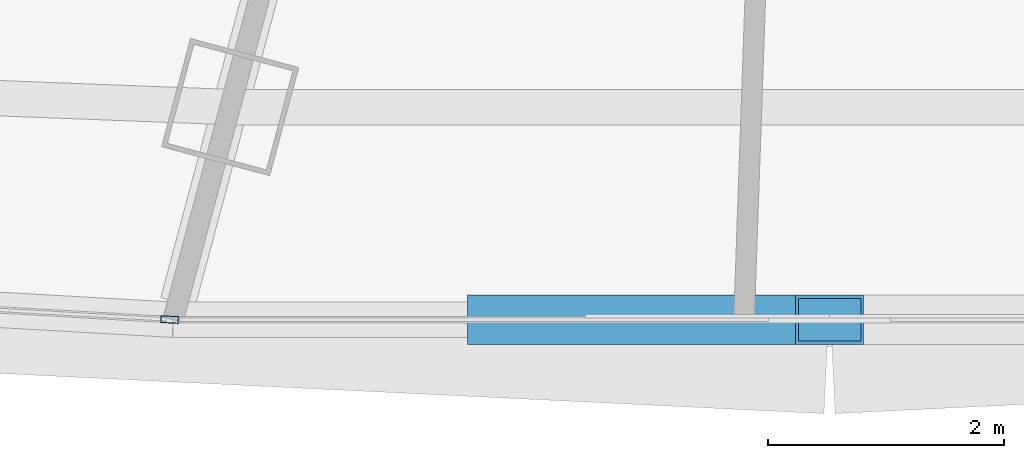
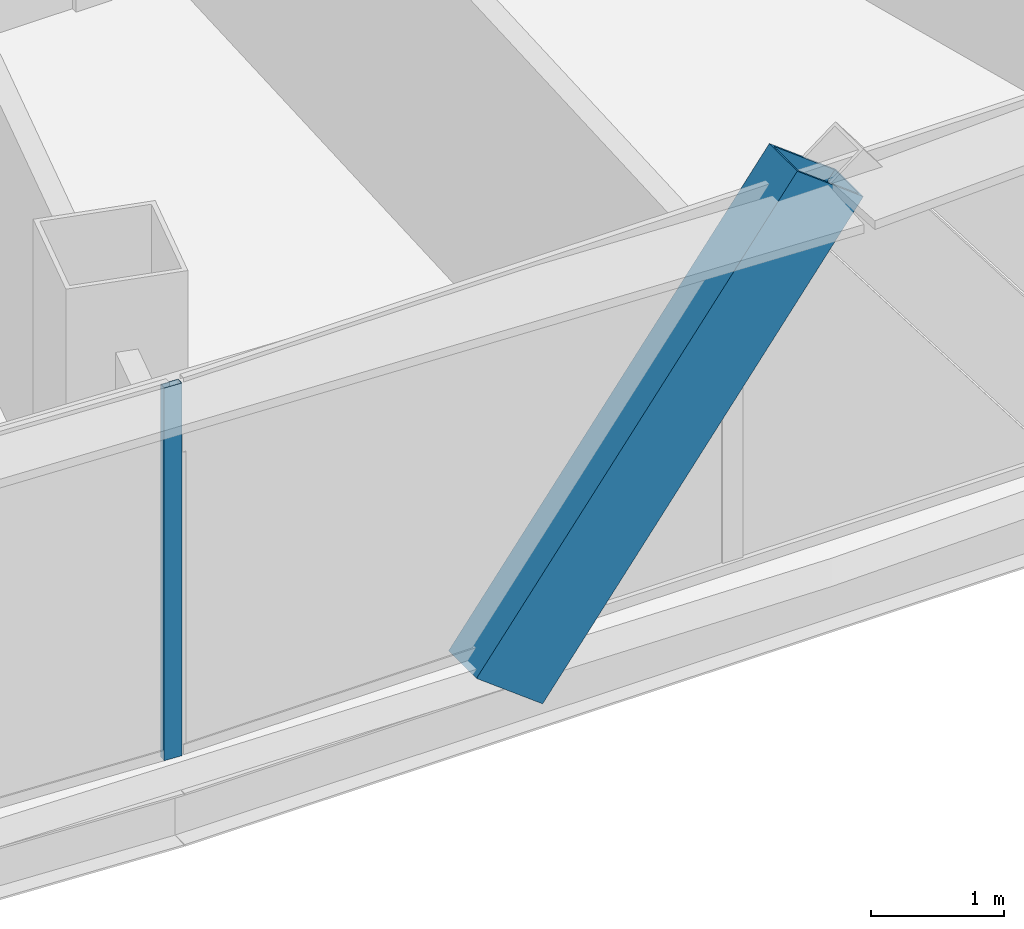
# One storey, part 10 of 42: 2 members, 1 element without a shape of its own.
"""IFC4 building model written with IfcOpenShell, lengths in metres."""

import ifcopenshell
import ifcopenshell.guid

model = None  # the IFC model being written
_history = None  # IfcOwnerHistory: only IFC2X3 demands one
_inside = {}  # id of a spatial element -> (the spatial element, [elements in it])
_under = {}  # id of a project, library or spatial element -> (it, [spatial elements below it])
_declared = {}  # id of a project -> (the project, [libraries it declares])
_typed = {}  # id of a type object -> (the type object, [elements of that type])
_made_of = {}  # id of a material, layer set ... -> (it, [elements and type objects made of it])


def new_model(schema):
    """Start an empty IFC model of exactly this schema.

    Asked for "IFC4X3", IfcOpenShell would pick the latest addendum, in which some entities
    have other attributes; the version numbers below select the first issue.
    IFC2X3 requires an IfcOwnerHistory on every rooted entity: one is made here for all.
    """
    global model, _history
    if schema == "IFC4X3":
        model = ifcopenshell.file(schema_version=(4, 3, 0, 0))
    else:
        model = ifcopenshell.file(schema=schema)
    _inside.clear()
    _under.clear()
    _declared.clear()
    _typed.clear()
    _made_of.clear()
    _history = None
    if model.schema == "IFC2X3":
        org = make("IfcOrganization", Name="unknown")
        user = make(
            "IfcPersonAndOrganization",
            ThePerson=make("IfcPerson", FamilyName="unknown"),
            TheOrganization=org,
        )
        app = make(
            "IfcApplication",
            ApplicationDeveloper=org,
            Version="unknown",
            ApplicationFullName="unknown",
            ApplicationIdentifier="unknown",
        )
        _history = make(
            "IfcOwnerHistory",
            OwningUser=user,
            OwningApplication=app,
            ChangeAction="ADDED",
            CreationDate=0,
        )
    return model


def make(cls, **values):
    """One entity of the class cls with the attributes given. An attribute that is None is left unset."""
    return model.create_entity(
        cls, **{name: value for name, value in values.items() if value is not None}
    )


def rooted(cls, **values):
    """An entity with a GlobalId (a new one), such as an element, a storey or a relation."""
    return make(cls, GlobalId=ifcopenshell.guid.new(), OwnerHistory=_history, **values)


def si_unit(unit_type, name, prefix=None):
    """IfcSIUnit, for example si_unit("LENGTHUNIT", "METRE", prefix="MILLI")."""
    return make("IfcSIUnit", UnitType=unit_type, Prefix=prefix, Name=name)


def assignment(units):
    """IfcUnitAssignment: the units of a project."""
    return None if units is None else make("IfcUnitAssignment", Units=units)


def point(xyz):
    """IfcCartesianPoint."""
    return None if xyz is None else make("IfcCartesianPoint", Coordinates=xyz)


def direction(xyz):
    """IfcDirection."""
    return None if xyz is None else make("IfcDirection", DirectionRatios=xyz)


def frame(location, z_axis=None, x_axis=None):
    """IfcAxis2Placement3D, a coordinate frame: its origin and axes. An axis left out is left unset."""
    return make(
        "IfcAxis2Placement3D",
        Location=point(location),
        Axis=direction(z_axis),
        RefDirection=direction(x_axis),
    )


def frame_2d(location, x_axis=None):
    """IfcAxis2Placement2D, a coordinate frame in the plane: its origin and x axis."""
    return make(
        "IfcAxis2Placement2D", Location=point(location), RefDirection=direction(x_axis)
    )


def origin():
    """The frame at (0, 0, 0) with its axes left unset."""
    return frame((0.0, 0.0, 0.0))


def origin_2d():
    """The frame at (0, 0) in the plane with its x axis left unset."""
    return frame_2d((0.0, 0.0))


def place(relative_to, where):
    """IfcLocalPlacement: puts the frame where relative to a parent placement (None: the world)."""
    return make(
        "IfcLocalPlacement", PlacementRelTo=relative_to, RelativePlacement=where
    )


def context(
    kind, dimensions, precision=None, world=None, true_north=None, identifier=None
):
    """IfcGeometricRepresentationContext, for example the 3D "Model" context."""
    return make(
        "IfcGeometricRepresentationContext",
        ContextIdentifier=identifier,
        ContextType=kind,
        CoordinateSpaceDimension=dimensions,
        Precision=precision,
        WorldCoordinateSystem=world,
        TrueNorth=true_north,
    )


def subcontext(parent, identifier, kind, view, scale=None):
    """IfcGeometricRepresentationSubContext, for example "Body" below "Model"."""
    return make(
        "IfcGeometricRepresentationSubContext",
        ContextIdentifier=identifier,
        ContextType=kind,
        ParentContext=parent,
        TargetScale=scale,
        TargetView=view,
    )


def project(units=None, contexts=None):
    """IfcProject with its units and contexts."""
    return rooted(
        "IfcProject",
        Name="project",
        RepresentationContexts=contexts,
        UnitsInContext=assignment(units),
    )


def spatial(cls, under=None, at=None, **own):
    """A site, building, storey or space (cls), placed at a placement, below another one or the project."""
    s = rooted(cls, ObjectPlacement=at, **own)
    if under is not None:
        _under.setdefault(under.id(), (under, []))[1].append(s)
    return s


def profile(cls, at=None, kind="AREA", **sizes):
    """A parametric profile (cls). Its sizes go by their IFC names, for example OverallWidth=200.0."""
    return make(cls, ProfileType=kind, Position=at, **sizes)


def hollow_rectangle(**sizes):
    """IfcRectangleHollowProfileDef."""
    return profile("IfcRectangleHollowProfileDef", **sizes)


def extrude(swept, where, along, depth):
    """IfcExtrudedAreaSolid: the profile swept, set in the frame where, extruded along a direction by depth."""
    return make(
        "IfcExtrudedAreaSolid",
        SweptArea=swept,
        Position=where,
        ExtrudedDirection=direction(along),
        Depth=depth,
    )


def shape(context_of_items, identifier, shape_type, items):
    """IfcShapeRepresentation: the items that make up one representation, for example the "Body"."""
    return make(
        "IfcShapeRepresentation",
        ContextOfItems=context_of_items,
        RepresentationIdentifier=identifier,
        RepresentationType=shape_type,
        Items=items,
    )


def source(mapping_origin, context_of_items, identifier, shape_type, items):
    """IfcRepresentationMap: a shape defined once, which mapped items show again and again."""
    return make(
        "IfcRepresentationMap",
        MappingOrigin=mapping_origin,
        MappedRepresentation=shape(context_of_items, identifier, shape_type, items),
    )


def transform(
    local_origin,
    x_axis=None,
    y_axis=None,
    z_axis=None,
    scale=None,
    scale2=None,
    scale3=None,
    uniform=True,
):
    """IfcCartesianTransformationOperator3D, or its non-uniform kind. x_axis, y_axis, z_axis: its Axis1, 2, 3."""
    if uniform:
        return make(
            "IfcCartesianTransformationOperator3D",
            Axis1=direction(x_axis),
            Axis2=direction(y_axis),
            LocalOrigin=point(local_origin),
            Scale=scale,
            Axis3=direction(z_axis),
        )
    return make(
        "IfcCartesianTransformationOperator3DnonUniform",
        Axis1=direction(x_axis),
        Axis2=direction(y_axis),
        LocalOrigin=point(local_origin),
        Scale=scale,
        Axis3=direction(z_axis),
        Scale2=scale2,
        Scale3=scale3,
    )


def mapped(mapping_source, mapping_target):
    """IfcMappedItem: shows the shape of a source again, moved by a transform."""
    return make(
        "IfcMappedItem", MappingSource=mapping_source, MappingTarget=mapping_target
    )


def material(Name=None, Category=None):
    """IfcMaterial."""
    return make("IfcMaterial", Name=Name, Category=Category)


def layer(
    of_material, thickness, ventilated=None, Name=None, Category=None, Priority=None
):
    """IfcMaterialLayer: one layer of a wall or slab, of a material (None: an air gap)."""
    return make(
        "IfcMaterialLayer",
        Material=of_material,
        LayerThickness=thickness,
        IsVentilated=ventilated,
        Name=Name,
        Category=Category,
        Priority=Priority,
    )


def layer_set(layers, Name=None):
    """IfcMaterialLayerSet."""
    return make("IfcMaterialLayerSet", MaterialLayers=layers, LayerSetName=Name)


def material_profile(
    of_material, cross_section, Name=None, Category=None, Priority=None
):
    """IfcMaterialProfile: a cross section and its material."""
    return make(
        "IfcMaterialProfile",
        Name=Name,
        Material=of_material,
        Profile=cross_section,
        Priority=Priority,
        Category=Category,
    )


def profile_set(profiles, Name=None, composite=None):
    """IfcMaterialProfileSet."""
    return make(
        "IfcMaterialProfileSet",
        Name=Name,
        MaterialProfiles=profiles,
        CompositeProfile=composite,
    )


def made_of(thing, what):
    """Note that an element or type object is made of a material, layer set ...; save() writes the relation."""
    if what is not None:
        _made_of.setdefault(what.id(), (what, []))[1].append(thing)
    return thing


def type_object(cls, material=None, **own):
    """A type object (cls), such as IfcWallType, which elements share."""
    return made_of(rooted(cls, **own), material)


def element(
    cls,
    number,
    at=None,
    inside=None,
    cuts=None,
    type_object=None,
    material=None,
    context=None,
    identifier="Body",
    shape_type=None,
    held_by="IfcProductDefinitionShape",
    body=None,
    shapes=None,
    **own,
):
    """One element of the class cls, such as IfcWall. Its Tag is "e" and its number.

    at: its placement. inside: the storey or other place that contains it. cuts: it is an
    opening in that element (IfcRelVoidsElement). A single representation is given by context,
    identifier, shape_type and body (its items); several are given by shapes. held_by: the class
    of the entity that holds the representations. save() writes the other relations.
    """
    e = rooted(cls, Tag="e%d" % number, ObjectPlacement=at, **own)
    if body is not None:
        shapes = [shape(context, identifier, shape_type, body)]
    if shapes is not None:
        e.Representation = make(held_by, Representations=shapes)
    if inside is not None:
        _inside.setdefault(inside.id(), (inside, []))[1].append(e)
    if cuts is not None:
        rooted(
            "IfcRelVoidsElement", RelatingBuildingElement=cuts, RelatedOpeningElement=e
        )
    if type_object is not None:
        _typed.setdefault(type_object.id(), (type_object, []))[1].append(e)
    return made_of(e, material)


def aggregate(whole, parts):
    """IfcRelAggregates: a whole, such as a stair, and the parts it consists of."""
    return rooted("IfcRelAggregates", RelatingObject=whole, RelatedObjects=parts)


def save(model, path):
    """Write the relations noted so far, then the file.

    IfcRelAggregates (storeys below a building ...), IfcRelContainedInSpatialStructure (elements
    in a storey), IfcRelDefinesByType, IfcRelAssociatesMaterial and IfcRelDeclares: one each for
    every whole, place, type object, material and project.
    """
    for whole, parts in _under.values():
        aggregate(whole, parts)
    for where, things in _inside.values():
        rooted(
            "IfcRelContainedInSpatialStructure",
            RelatedElements=things,
            RelatingStructure=where,
        )
    for kind, things in _typed.values():
        rooted("IfcRelDefinesByType", RelatedObjects=things, RelatingType=kind)
    for what, things in _made_of.values():
        rooted("IfcRelAssociatesMaterial", RelatedObjects=things, RelatingMaterial=what)
    for by, libraries in _declared.values():
        rooted("IfcRelDeclares", RelatingContext=by, RelatedDefinitions=libraries)
    model.write(path)


model = new_model("IFC4")

# Units and contexts
model_context = context("Model", 3, precision=1e-05, world=origin(), true_north=direction((0.0, 1.0)))
body_context = subcontext(model_context, "Body", "Model", "MODEL_VIEW")
ifc_project = project(units=[si_unit("LENGTHUNIT", "METRE"), si_unit("AREAUNIT", "SQUARE_METRE"), si_unit("VOLUMEUNIT", "CUBIC_METRE"), si_unit("PLANEANGLEUNIT", "RADIAN"), si_unit("MASSUNIT", "GRAM", prefix="KILO"), si_unit("THERMODYNAMICTEMPERATUREUNIT", "KELVIN"), si_unit("POWERUNIT", "WATT")], contexts=[model_context])

# Site, building, storey
site_placement = place(None, origin())
site = spatial("IfcSite", under=ifc_project, at=site_placement, CompositionType="ELEMENT")
building_placement = place(site_placement, origin())
building = spatial("IfcBuilding", under=site, at=building_placement, Name="Yunzhuo Pagoda Commons", CompositionType="ELEMENT")
storey_placement = place(building_placement, frame((0.0, 0.0, 133.510009765625)))
storey = spatial("IfcBuildingStorey", under=building, at=storey_placement, Name="L33", CompositionType="ELEMENT", Elevation=133.510009765625)

# Member
ifc_material_1 = material(Name="Structural steel Q420B", Category="steel")
ifc_material_profile_1 = material_profile(ifc_material_1, hollow_rectangle(XDim=0.419921875, YDim=0.719970703125, WallThickness=0.028076171875, at=origin_2d()), Name="Structural steel Q420B")
ifc_profile_set_1 = profile_set([ifc_material_profile_1], Name="Structural steel Q420B")
member_type_1 = type_object("IfcMemberType", Name="M-DL1 Brace BOX 720x420x28", PredefinedType="BRACE", material=ifc_profile_set_1)
shared_shape_1 = source(origin(), body_context, "Body", "SweptSolid", [
    extrude(hollow_rectangle(XDim=0.419921875, YDim=0.719970703125, WallThickness=0.028076171875, at=origin_2d()), origin(), (0.0, 0.0, 1.0), 4.61474609375),
])
member_1_placement = place(storey_placement, frame((45.215576171875, 12.917724609375, -0.260009765625), z_axis=(0.603389025973, 0.0, 0.797446978385), x_axis=(0.0, 1.0, 0.0)))
element("IfcMember", 1, at=member_1_placement, inside=storey, type_object=member_type_1, Name="L33 facade diamond brace F1.2L", PredefinedType="BRACE", context=body_context, shape_type="MappedRepresentation", body=[
    mapped(shared_shape_1, transform((0.0, 0.0, 0.0), scale=1.0)),
])

# Curtain wall, member
ifc_material_2 = material(Name="Anodized aluminium 6063-T6", Category="aluminium")
ifc_layer = layer(ifc_material_2, 0.14990234375)
ifc_layer_set = layer_set([ifc_layer], Name="Anodized aluminium 6063-T6")
curtain_wall_type = type_object("IfcCurtainWallType", Name="CW-MID Mid-Zone Ribbon Curtain Wall", PredefinedType="NOTDEFINED", material=ifc_layer_set)
curtain_wall_placement = place(storey_placement, origin())
curtain_wall = element("IfcCurtainWall", 2, at=curtain_wall_placement, inside=storey, type_object=curtain_wall_type, Name="L33 curtain wall CW-L33-F1B2", PredefinedType="NOTDEFINED")
ifc_material_profile_2 = material_profile(ifc_material_2, hollow_rectangle(XDim=0.06005859375, YDim=0.14990234375, WallThickness=0.00390625, at=origin_2d()), Name="Anodized aluminium 6063-T6")
ifc_profile_set_2 = profile_set([ifc_material_profile_2], Name="Anodized aluminium 6063-T6")
member_type_2 = type_object("IfcMemberType", Name="CW-MID-M Mullion RHS 150x60x4", PredefinedType="MULLION", material=ifc_profile_set_2)
shared_shape_2 = source(origin(), body_context, "Body", "SweptSolid", [
    extrude(hollow_rectangle(XDim=0.06005859375, YDim=0.14990234375, WallThickness=0.00390625, at=origin_2d()), origin(), (0.0, 0.0, 1.0), 3.419921875),
])
member_2_placement = place(storey_placement, frame((42.4013671875, 12.91943359375, 0.0), z_axis=(0.0, 0.0, 1.0), x_axis=(0.056741862165, 0.99838888269, 0.0)))
member_2 = element("IfcMember", 3, at=member_2_placement, type_object=member_type_2, Name="CW mullion 2", PredefinedType="MULLION", context=body_context, shape_type="MappedRepresentation", body=[
    mapped(shared_shape_2, transform((0.0, 0.0, 0.0), scale=1.0)),
])
aggregate(curtain_wall, [member_2])

save(model, "model.ifc")
